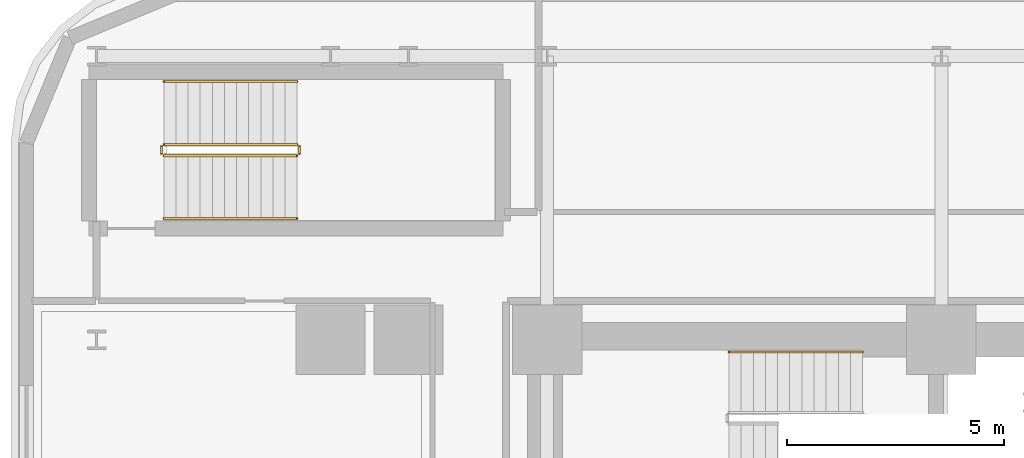
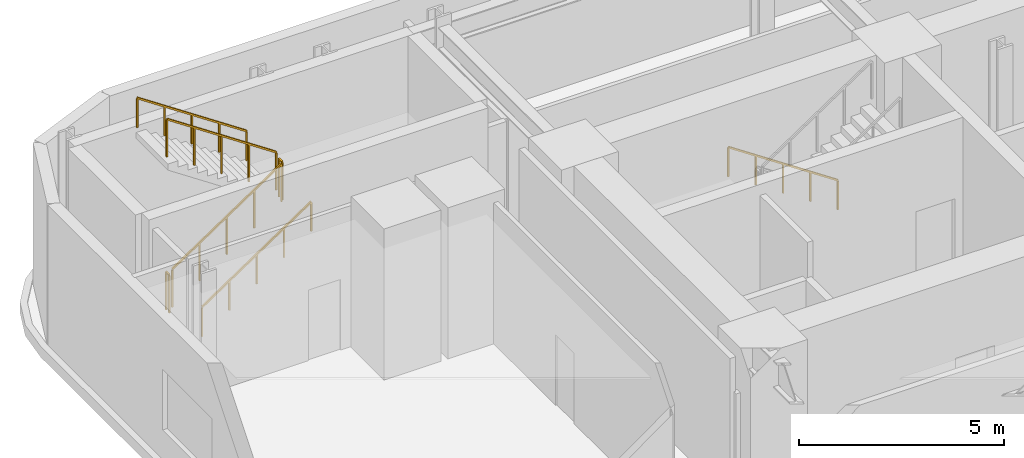
# One storey, part 13 of 14: 7 railings.
"""IFC4 building model written with IfcOpenShell, lengths in metres."""

from ifc_helpers import new_model, si_unit, direction, frame, origin, origin_2d, place, context, subcontext, project, spatial, rectangle, extrude, material, type_object, element, save


model = new_model("IFC4")

# Units and contexts
model_context = context("Model", 3, precision=1e-05, world=origin(), true_north=direction((0.0, 1.0)))
body_context = subcontext(model_context, "Body", "Model", "MODEL_VIEW")
ifc_project = project(units=[si_unit("LENGTHUNIT", "METRE"), si_unit("AREAUNIT", "SQUARE_METRE"), si_unit("VOLUMEUNIT", "CUBIC_METRE"), si_unit("PLANEANGLEUNIT", "RADIAN"), si_unit("MASSUNIT", "GRAM", prefix="KILO")], contexts=[model_context])

# Site, building, storey
site_placement = place(None, origin())
site = spatial("IfcSite", under=ifc_project, at=site_placement, CompositionType="ELEMENT")
building_placement = place(site_placement, origin())
building = spatial("IfcBuilding", under=site, at=building_placement, Name="Zarnavel Station Tower", CompositionType="ELEMENT")
storey_placement = place(building_placement, frame((0.0, 0.0, 14.89990234375)))
storey = spatial("IfcBuildingStorey", under=building, at=storey_placement, Name="L04", CompositionType="ELEMENT", Elevation=14.89990234375)

# Railings
ifc_material_1 = material(Name="Painted Steel S355J2 Balustrade", Category="steel")
railing_type_1 = type_object("IfcRailingType", Name="GR_INT_1150", PredefinedType="GUARDRAIL", material=ifc_material_1)
railing_1_placement = place(storey_placement, frame((3.35009765625, 41.300048828125, 0.1875)))
element("IfcRailing", 1, at=railing_1_placement, inside=storey, type_object=railing_type_1, Name="L04 ST4 stair guard 1", PredefinedType="GUARDRAIL", context=body_context, shape_type="SweptSolid", body=[
    extrude(rectangle(XDim=0.048095703125, YDim=0.048095703125, at=origin_2d()), frame((0.001708984375, 0.0, 1.126953125), z_axis=(0.830893310487, 0.0, 0.556431762742), x_axis=(0.0, 1.0, 0.0)), (0.0, 0.0, 1.0), 3.70263671875),
    extrude(rectangle(XDim=0.0419921875, YDim=0.0419921875, at=origin_2d()), origin(), (0.0, 0.0, 1.0), 1.101806640625),
    extrude(rectangle(XDim=0.0419921875, YDim=0.0419921875, at=origin_2d()), frame((0.77001953125, 0.0, 0.515625)), (0.0, 0.0, 1.0), 1.101806640625),
    extrude(rectangle(XDim=0.0419921875, YDim=0.0419921875, at=origin_2d()), frame((1.5400390625, 0.0, 1.03125)), (0.0, 0.0, 1.0), 1.101806640625),
    extrude(rectangle(XDim=0.0419921875, YDim=0.0419921875, at=origin_2d()), frame((2.309814453125, 0.0, 1.546875)), (0.0, 0.0, 1.0), 1.101806640625),
    extrude(rectangle(XDim=0.0419921875, YDim=0.0419921875, at=origin_2d()), frame((3.079833984375, 0.0, 2.0625)), (0.0, 0.0, 1.0), 1.101806640625),
])
railing_2_placement = place(storey_placement, frame((6.47998046875, 41.35009765625, 2.25)))
element("IfcRailing", 2, at=railing_2_placement, inside=storey, type_object=railing_type_1, Name="L04 ST4 stair guard 2", PredefinedType="GUARDRAIL", context=body_context, shape_type="SweptSolid", body=[
    extrude(rectangle(XDim=0.048095703125, YDim=0.048095703125, at=origin_2d()), frame((0.0, 0.001953125, 1.1259765625), z_axis=(0.0, 1.0, 0.0), x_axis=(-1.0, 0.0, 0.0)), (0.0, 0.0, 1.0), 0.156005859375),
    extrude(rectangle(XDim=0.0419921875, YDim=0.0419921875, at=origin_2d()), origin(), (0.0, 0.0, 1.0), 1.101806640625),
    extrude(rectangle(XDim=0.0419921875, YDim=0.0419921875, at=origin_2d()), frame((0.0, 0.159912109375, 0.0)), (0.0, 0.0, 1.0), 1.101806640625),
])
railing_3_placement = place(storey_placement, frame((6.429931640625, 41.56005859375, 2.4375)))
element("IfcRailing", 3, at=railing_3_placement, inside=storey, type_object=railing_type_1, Name="L04 ST4 stair guard 3", PredefinedType="GUARDRAIL", context=body_context, shape_type="SweptSolid", body=[
    extrude(rectangle(XDim=0.048095703125, YDim=0.048095703125, at=origin_2d()), frame((-0.001708984375, 0.0, 1.126953125), z_axis=(-0.830893310487, 0.0, 0.556431762742), x_axis=(0.0, -1.0, 0.0)), (0.0, 0.0, 1.0), 3.70263671875),
    extrude(rectangle(XDim=0.0419921875, YDim=0.0419921875, at=origin_2d()), origin(), (0.0, 0.0, 1.0), 1.101806640625),
    extrude(rectangle(XDim=0.0419921875, YDim=0.0419921875, at=origin_2d()), frame((-0.77001953125, 0.0, 0.515625)), (0.0, 0.0, 1.0), 1.101806640625),
    extrude(rectangle(XDim=0.0419921875, YDim=0.0419921875, at=origin_2d()), frame((-1.5400390625, 0.0, 1.03125)), (0.0, 0.0, 1.0), 1.101806640625),
    extrude(rectangle(XDim=0.0419921875, YDim=0.0419921875, at=origin_2d()), frame((-2.309814453125, 0.0, 1.546875)), (0.0, 0.0, 1.0), 1.101806640625),
    extrude(rectangle(XDim=0.0419921875, YDim=0.0419921875, at=origin_2d()), frame((-3.079833984375, 0.0, 2.0625)), (0.0, 0.0, 1.0), 1.101806640625),
])
railing_4_placement = place(storey_placement, frame((3.300048828125, 41.35009765625, 0.0)))
element("IfcRailing", 4, at=railing_4_placement, inside=storey, type_object=railing_type_1, Name="L04 ST4 stair guard 4", PredefinedType="GUARDRAIL", context=body_context, shape_type="SweptSolid", body=[
    extrude(rectangle(XDim=0.048095703125, YDim=0.048095703125, at=origin_2d()), frame((0.0, 0.001953125, 1.1259765625), z_axis=(0.0, 1.0, 0.0), x_axis=(-1.0, 0.0, 0.0)), (0.0, 0.0, 1.0), 0.156005859375),
    extrude(rectangle(XDim=0.0419921875, YDim=0.0419921875, at=origin_2d()), origin(), (0.0, 0.0, 1.0), 1.101806640625),
    extrude(rectangle(XDim=0.0419921875, YDim=0.0419921875, at=origin_2d()), frame((0.0, 0.159912109375, 0.0)), (0.0, 0.0, 1.0), 1.101806640625),
])
ifc_material_2 = material(Name="Brushed Stainless Steel S355J2 Handrail", Category="steel")
railing_type_2 = type_object("IfcRailingType", Name="HR_STAIR_900", PredefinedType="HANDRAIL", material=ifc_material_2)
railing_5_placement = place(storey_placement, frame((19.47998046875, 36.77001953125, 0.1875)))
element("IfcRailing", 5, at=railing_5_placement, inside=storey, type_object=railing_type_2, Name="L04 ST1 stair handrail 1", PredefinedType="HANDRAIL", context=body_context, shape_type="SweptSolid", body=[
    extrude(rectangle(XDim=0.048095703125, YDim=0.048095703125, at=origin_2d()), frame((-0.001708984375, 0.0, 0.876953125), z_axis=(-0.830913701846, 0.0, 0.55640131208), x_axis=(0.0, -1.0, 0.0)), (0.0, 0.0, 1.0), 3.702880859375),
    extrude(rectangle(XDim=0.0419921875, YDim=0.0419921875, at=origin_2d()), origin(), (0.0, 0.0, 1.0), 0.851806640625),
    extrude(rectangle(XDim=0.0419921875, YDim=0.0419921875, at=origin_2d()), frame((-0.77001953125, 0.0, 0.515625)), (0.0, 0.0, 1.0), 0.851806640625),
    extrude(rectangle(XDim=0.0419921875, YDim=0.0419921875, at=origin_2d()), frame((-1.5400390625, 0.0, 1.03125)), (0.0, 0.0, 1.0), 0.851806640625),
    extrude(rectangle(XDim=0.0419921875, YDim=0.0419921875, at=origin_2d()), frame((-2.31005859375, 0.0, 1.546875)), (0.0, 0.0, 1.0), 0.851806640625),
    extrude(rectangle(XDim=0.0419921875, YDim=0.0419921875, at=origin_2d()), frame((-3.080078125, 0.0, 2.0625)), (0.0, 0.0, 1.0), 0.851806640625),
])
railing_6_placement = place(storey_placement, frame((3.35009765625, 39.85009765625, 0.1875)))
element("IfcRailing", 6, at=railing_6_placement, inside=storey, type_object=railing_type_2, Name="L04 ST4 stair handrail 1", PredefinedType="HANDRAIL", context=body_context, shape_type="SweptSolid", body=[
    extrude(rectangle(XDim=0.048095703125, YDim=0.048095703125, at=origin_2d()), frame((0.001708984375, 0.0, 0.876953125), z_axis=(0.830893310487, 0.0, 0.556431762742), x_axis=(0.0, 1.0, 0.0)), (0.0, 0.0, 1.0), 3.70263671875),
    extrude(rectangle(XDim=0.0419921875, YDim=0.0419921875, at=origin_2d()), origin(), (0.0, 0.0, 1.0), 0.851806640625),
    extrude(rectangle(XDim=0.0419921875, YDim=0.0419921875, at=origin_2d()), frame((0.77001953125, 0.0, 0.515625)), (0.0, 0.0, 1.0), 0.851806640625),
    extrude(rectangle(XDim=0.0419921875, YDim=0.0419921875, at=origin_2d()), frame((1.5400390625, 0.0, 1.03125)), (0.0, 0.0, 1.0), 0.851806640625),
    extrude(rectangle(XDim=0.0419921875, YDim=0.0419921875, at=origin_2d()), frame((2.309814453125, 0.0, 1.546875)), (0.0, 0.0, 1.0), 0.851806640625),
    extrude(rectangle(XDim=0.0419921875, YDim=0.0419921875, at=origin_2d()), frame((3.079833984375, 0.0, 2.0625)), (0.0, 0.0, 1.0), 0.851806640625),
])
railing_7_placement = place(storey_placement, frame((6.429931640625, 43.010009765625, 2.4375)))
element("IfcRailing", 7, at=railing_7_placement, inside=storey, type_object=railing_type_2, Name="L04 ST4 stair handrail 2", PredefinedType="HANDRAIL", context=body_context, shape_type="SweptSolid", body=[
    extrude(rectangle(XDim=0.048095703125, YDim=0.048095703125, at=origin_2d()), frame((-0.001708984375, 0.0, 0.876953125), z_axis=(-0.830893310487, 0.0, 0.556431762742), x_axis=(0.0, -1.0, 0.0)), (0.0, 0.0, 1.0), 3.70263671875),
    extrude(rectangle(XDim=0.0419921875, YDim=0.0419921875, at=origin_2d()), origin(), (0.0, 0.0, 1.0), 0.851806640625),
    extrude(rectangle(XDim=0.0419921875, YDim=0.0419921875, at=origin_2d()), frame((-0.77001953125, 0.0, 0.515625)), (0.0, 0.0, 1.0), 0.851806640625),
    extrude(rectangle(XDim=0.0419921875, YDim=0.0419921875, at=origin_2d()), frame((-1.5400390625, 0.0, 1.03125)), (0.0, 0.0, 1.0), 0.851806640625),
    extrude(rectangle(XDim=0.0419921875, YDim=0.0419921875, at=origin_2d()), frame((-2.309814453125, 0.0, 1.546875)), (0.0, 0.0, 1.0), 0.851806640625),
    extrude(rectangle(XDim=0.0419921875, YDim=0.0419921875, at=origin_2d()), frame((-3.079833984375, 0.0, 2.0625)), (0.0, 0.0, 1.0), 0.851806640625),
])

save(model, "model.ifc")
